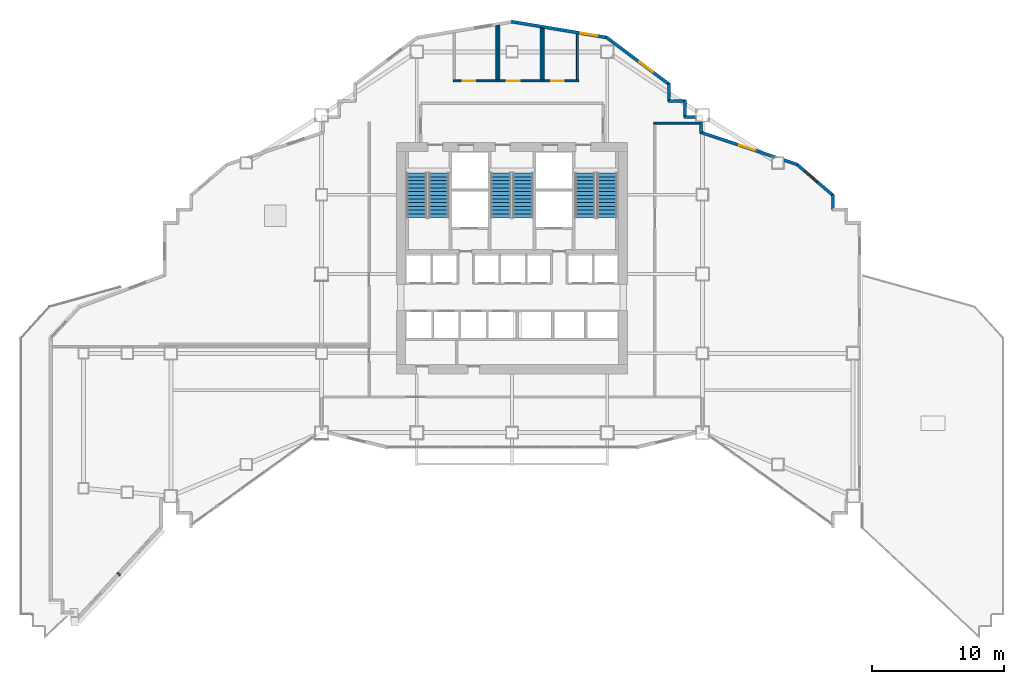
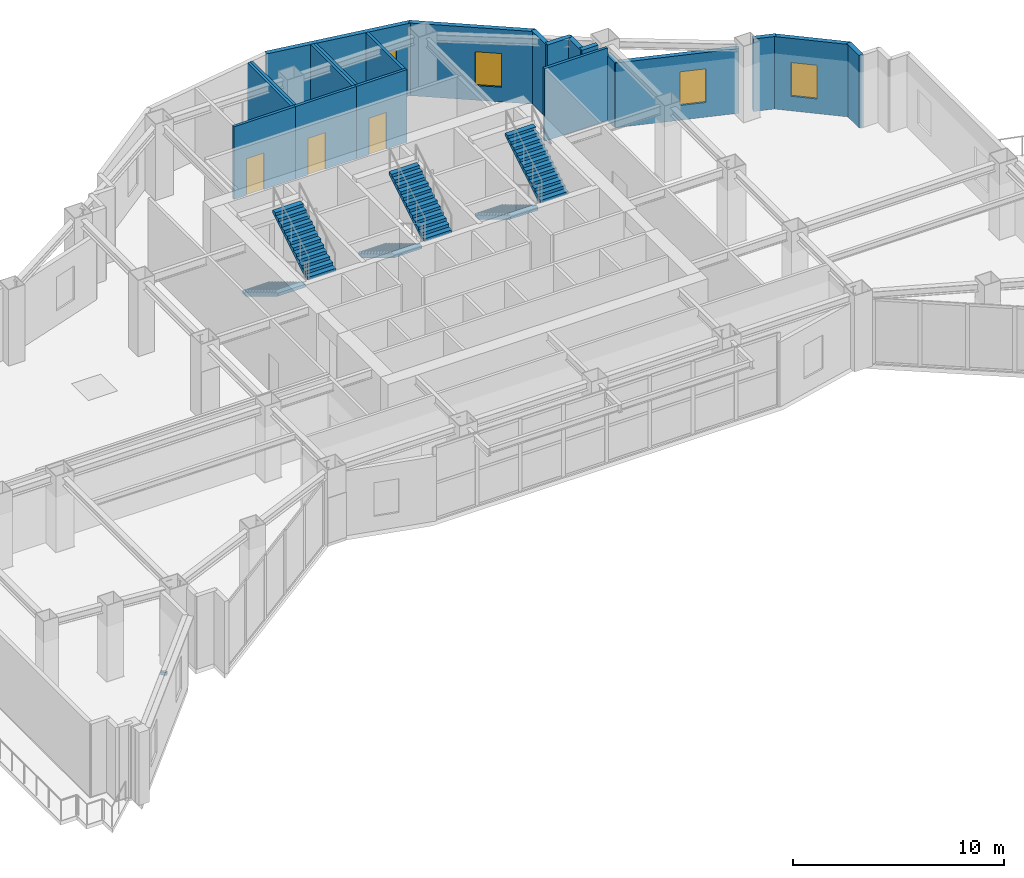
# One storey, part 12 of 19: 20 walls, 6 stair flights, 4 windows, 3 doors, 1 discrete accessory, 7 openings, 3 elements without a shape of their own.
"""IFC4 building model written with IfcOpenShell, lengths in metres."""

from ifc_helpers import new_model, si_unit, direction, frame, frame_2d, origin, origin_2d, place, context, subcontext, project, spatial, polyline, rectangle, outline, extrude, material, layer, layer_set, type_object, element, fill, aggregate, save


model = new_model("IFC4")

# Units and contexts
model_context = context("Model", 3, precision=1e-05, world=origin(), true_north=direction((0.0, 1.0)))
body_context = subcontext(model_context, "Body", "Model", "MODEL_VIEW")
ifc_project = project(units=[si_unit("LENGTHUNIT", "METRE"), si_unit("AREAUNIT", "SQUARE_METRE"), si_unit("VOLUMEUNIT", "CUBIC_METRE"), si_unit("PLANEANGLEUNIT", "RADIAN"), si_unit("MASSUNIT", "GRAM", prefix="KILO")], contexts=[model_context])

# Site, building, storey
site_placement = place(None, origin())
site = spatial("IfcSite", under=ifc_project, at=site_placement, CompositionType="ELEMENT")
building_placement = place(site_placement, origin())
building = spatial("IfcBuilding", under=site, at=building_placement, Name="Haolan Belvedere Tower", CompositionType="ELEMENT")
storey_placement = place(building_placement, frame((0.0, 0.0, 94.0)))
storey = spatial("IfcBuildingStorey", under=building, at=storey_placement, Name="L23", CompositionType="ELEMENT", Elevation=94.0)

# Wall
ifc_material_1 = material(Name="Precast concrete C40/50", Category="concrete")
ifc_layer_1 = layer(ifc_material_1, 0.239990234375, Name="Precast concrete C40/50")
ifc_layer_set_1 = layer_set([ifc_layer_1], Name="Precast concrete C40/50")
wall_type_1 = type_object("IfcWallType", Name="WL-EXT-240", PredefinedType="SOLIDWALL", material=ifc_layer_set_1)
wall_1_placement = place(storey_placement, frame((62.679931640625, 38.425048828125, 0.0), z_axis=(0.0, 0.0, 1.0), x_axis=(0.0, 1.0, 0.0)))
element("IfcWall", 1, at=wall_1_placement, inside=storey, type_object=wall_type_1, Name="L23 pale-metal exterior spandrel wall 18.1", PredefinedType="SOLIDWALL", context=body_context, shape_type="SweptSolid", body=[
    extrude(rectangle(XDim=1.1748046875, YDim=0.239990234375, at=frame_2d((0.58740234375, 0.0))), origin(), (0.0, 0.0, 1.0), 4.199951171875),
])

# Wall, opening, window
wall_2_placement = place(storey_placement, frame((62.7216796875, 39.509033203125, 0.0), z_axis=(0.0, 0.0, 1.0), x_axis=(-0.759247334792, 0.650802185469, 0.0)))
wall_2 = element("IfcWall", 2, at=wall_2_placement, inside=storey, type_object=wall_type_1, Name="L23 pale-metal exterior spandrel wall 19.1", PredefinedType="SOLIDWALL", context=body_context, shape_type="SweptSolid", body=[
    extrude(rectangle(XDim=3.71923828125, YDim=0.239990234375, at=frame_2d((1.859619140625, 0.0))), origin(), (0.0, 0.0, 1.0), 4.199951171875),
])
opening_1_placement = place(wall_2_placement, frame((1.60009765625, 0.0, 0.85009765625)))
opening_1 = element("IfcOpeningElement", 3, at=opening_1_placement, cuts=wall_2, Name="Opening W-04", PredefinedType="OPENING", context=body_context, shape_type="SweptSolid", body=[
    extrude(rectangle(XDim=1.25, YDim=1.949951171875, at=frame_2d((0.625, 0.97509765625))), frame((0.0, 0.1298828125, 0.0), z_axis=(0.0, -1.0, 0.0), x_axis=(1.0, 0.0, 0.0)), (0.0, 0.0, 1.0), 0.260009765625),
])
ifc_material_2 = material(Name="Anodised aluminium 6063-T6 and Low-E glass", Category="aluminium")
window_type = type_object("IfcWindowType", Name="WN-DECO-Z4", PartitioningType="SINGLE_PANEL", PredefinedType="WINDOW", material=ifc_material_2)
window_1_placement = place(opening_1_placement, origin())
window_1 = element("IfcWindow", 4, at=window_1_placement, inside=storey, type_object=window_type, Name="L23 Art Deco chevron window 1", OverallHeight=1.949951171875, OverallWidth=1.25, PartitioningType="SINGLE_PANEL", PredefinedType="WINDOW", context=body_context, shape_type="SweptSolid", body=[
    extrude(rectangle(XDim=1.25, YDim=1.949951171875, at=frame_2d((0.625, 0.97509765625))), frame((0.0, 0.030029296875, 0.0), z_axis=(0.0, -1.0, 0.0), x_axis=(1.0, 0.0, 0.0)), (0.0, 0.0, 1.0), 0.06005859375),
])
fill(opening_1, window_1)

# Wall
wall_3_placement = place(storey_placement, frame((59.991943359375, 41.876220703125, 0.0), z_axis=(0.0, 0.0, 1.0), x_axis=(-0.948661238983, 0.316293935527, 0.0)))
element("IfcWall", 5, at=wall_3_placement, inside=storey, type_object=wall_type_1, Name="L23 pale-metal exterior spandrel wall 20.1", PredefinedType="SOLIDWALL", context=body_context, shape_type="SweptSolid", body=[
    extrude(rectangle(XDim=1.10693359375, YDim=0.239990234375, at=frame_2d((0.553466796875, 0.0))), origin(), (0.0, 0.0, 1.0), 4.199951171875),
])

# Wall, opening, window
wall_4_placement = place(storey_placement, frame((58.294677734375, 42.44189453125, 0.0), z_axis=(0.0, 0.0, 1.0), x_axis=(-0.948687385027, 0.316215504823, 0.0)))
wall_4 = element("IfcWall", 6, at=wall_4_placement, inside=storey, type_object=wall_type_1, Name="L23 pale-metal exterior spandrel wall 20.2", PredefinedType="SOLIDWALL", context=body_context, shape_type="SweptSolid", body=[
    extrude(rectangle(XDim=5.973388671875, YDim=0.239990234375, at=frame_2d((2.98681640625, 0.0))), origin(), (0.0, 0.0, 1.0), 3.7451171875),
])
opening_2_placement = place(wall_4_placement, frame((1.60009765625, 0.0, 0.85009765625)))
opening_2 = element("IfcOpeningElement", 7, at=opening_2_placement, cuts=wall_4, Name="Opening W-04", PredefinedType="OPENING", context=body_context, shape_type="SweptSolid", body=[
    extrude(rectangle(XDim=1.25, YDim=1.949951171875, at=frame_2d((0.625, 0.97509765625))), frame((0.0, 0.1298828125, 0.0), z_axis=(0.0, -1.0, 0.0), x_axis=(1.0, 0.0, 0.0)), (0.0, 0.0, 1.0), 0.260009765625),
])
window_2_placement = place(opening_2_placement, origin())
window_2 = element("IfcWindow", 8, at=window_2_placement, inside=storey, type_object=window_type, Name="L23 Art Deco chevron window 1", OverallHeight=1.949951171875, OverallWidth=1.25, PartitioningType="SINGLE_PANEL", PredefinedType="WINDOW", context=body_context, shape_type="SweptSolid", body=[
    extrude(rectangle(XDim=1.25, YDim=1.949951171875, at=frame_2d((0.625, 0.97509765625))), frame((0.0, 0.030029296875, 0.0), z_axis=(0.0, -1.0, 0.0), x_axis=(1.0, 0.0, 0.0)), (0.0, 0.0, 1.0), 0.06005859375),
])
fill(opening_2, window_2)

# Walls
wall_5_placement = place(storey_placement, frame((52.679931640625, 44.258544921875, 0.0), z_axis=(0.0, 0.0, 1.0), x_axis=(0.0, 1.0, 0.0)))
element("IfcWall", 9, at=wall_5_placement, inside=storey, type_object=wall_type_1, Name="L23 pale-metal exterior spandrel wall 21.1", PredefinedType="SOLIDWALL", context=body_context, shape_type="SweptSolid", body=[
    extrude(rectangle(XDim=0.849365234375, YDim=0.239990234375, at=frame_2d((0.4248046875, 0.0))), origin(), (0.0, 0.0, 1.0), 3.7451171875),
])
wall_6_placement = place(storey_placement, frame((52.30810546875, 45.47998046875, 0.0), z_axis=(0.0, 0.0, 1.0), x_axis=(-1.0, 0.0, 0.0)))
element("IfcWall", 10, at=wall_6_placement, inside=storey, type_object=wall_type_1, Name="L23 pale-metal exterior spandrel wall 22.1", PredefinedType="SOLIDWALL", context=body_context, shape_type="SweptSolid", body=[
    extrude(rectangle(XDim=0.883056640625, YDim=0.239990234375, at=frame_2d((0.44140625, 0.0))), origin(), (0.0, 0.0, 1.0), 4.199951171875),
])
wall_7_placement = place(storey_placement, frame((51.47998046875, 45.425048828125, 0.0), z_axis=(0.0, 0.0, 1.0), x_axis=(0.0, 1.0, 0.0)))
element("IfcWall", 11, at=wall_7_placement, inside=storey, type_object=wall_type_1, Name="L23 pale-metal exterior spandrel wall 23.1", PredefinedType="SOLIDWALL", context=body_context, shape_type="SweptSolid", body=[
    extrude(rectangle(XDim=1.31005859375, YDim=0.239990234375, at=frame_2d((0.655029296875, 0.0))), origin(), (0.0, 0.0, 1.0), 4.199951171875),
])
wall_8_placement = place(storey_placement, frame((51.534912109375, 46.679931640625, 0.0), z_axis=(0.0, 0.0, 1.0), x_axis=(-1.0, 0.0, 0.0)))
element("IfcWall", 12, at=wall_8_placement, inside=storey, type_object=wall_type_1, Name="L23 pale-metal exterior spandrel wall 24.1", PredefinedType="SOLIDWALL", context=body_context, shape_type="SweptSolid", body=[
    extrude(rectangle(XDim=1.309814453125, YDim=0.239990234375, at=frame_2d((0.65478515625, 0.0))), origin(), (0.0, 0.0, 1.0), 4.199951171875),
])
wall_9_placement = place(storey_placement, frame((50.280029296875, 46.625, 0.0), z_axis=(0.0, 0.0, 1.0), x_axis=(0.0, 1.0, 0.0)))
element("IfcWall", 13, at=wall_9_placement, inside=storey, type_object=wall_type_1, Name="L23 pale-metal exterior spandrel wall 25.1", PredefinedType="SOLIDWALL", context=body_context, shape_type="SweptSolid", body=[
    extrude(rectangle(XDim=1.3701171875, YDim=0.239990234375, at=frame_2d((0.68505859375, 0.0))), origin(), (0.0, 0.0, 1.0), 4.199951171875),
])

# Wall, opening, window
wall_10_placement = place(storey_placement, frame((50.323974609375, 47.906982421875, 0.0), z_axis=(0.0, 0.0, 1.0), x_axis=(-0.80001459783, 0.599980535734, 0.0)))
wall_10 = element("IfcWall", 14, at=wall_10_placement, inside=storey, type_object=wall_type_1, Name="L23 pale-metal exterior spandrel wall 26.1", PredefinedType="SOLIDWALL", context=body_context, shape_type="SweptSolid", body=[
    extrude(rectangle(XDim=6.020751953125, YDim=0.239990234375, at=frame_2d((3.01025390625, 0.0))), origin(), (0.0, 0.0, 1.0), 4.199951171875),
])
opening_3_placement = place(wall_10_placement, frame((1.60009765625, 0.0, 0.85009765625)))
opening_3 = element("IfcOpeningElement", 15, at=opening_3_placement, cuts=wall_10, Name="Opening W-04", PredefinedType="OPENING", context=body_context, shape_type="SweptSolid", body=[
    extrude(rectangle(XDim=1.25, YDim=1.949951171875, at=frame_2d((0.625, 0.97509765625))), frame((0.0, 0.1298828125, 0.0), z_axis=(0.0, -1.0, 0.0), x_axis=(1.0, 0.0, 0.0)), (0.0, 0.0, 1.0), 0.260009765625),
])
window_3_placement = place(opening_3_placement, origin())
window_3 = element("IfcWindow", 16, at=window_3_placement, inside=storey, type_object=window_type, Name="L23 Art Deco chevron window 1", OverallHeight=1.949951171875, OverallWidth=1.25, PartitioningType="SINGLE_PANEL", PredefinedType="WINDOW", context=body_context, shape_type="SweptSolid", body=[
    extrude(rectangle(XDim=1.25, YDim=1.949951171875, at=frame_2d((0.625, 0.97509765625))), frame((0.0, 0.030029296875, 0.0), z_axis=(0.0, -1.0, 0.0), x_axis=(1.0, 0.0, 0.0)), (0.0, 0.0, 1.0), 0.06005859375),
])
fill(opening_3, window_3)

wall_11_placement = place(storey_placement, frame((45.605712890625, 51.477294921875, 0.0), z_axis=(0.0, 0.0, 1.0), x_axis=(-0.986394820321, 0.164393608283, 0.0)))
wall_11 = element("IfcWall", 17, at=wall_11_placement, inside=storey, type_object=wall_type_1, Name="L23 pale-metal exterior spandrel wall 27.1", PredefinedType="SOLIDWALL", context=body_context, shape_type="SweptSolid", body=[
    extrude(rectangle(XDim=7.360107421875, YDim=0.239990234375, at=frame_2d((3.68017578125, 0.0))), origin(), (0.0, 0.0, 1.0), 4.199951171875),
])
opening_4_placement = place(wall_11_placement, frame((0.7841796875, 0.0, 0.85009765625)))
opening_4 = element("IfcOpeningElement", 18, at=opening_4_placement, cuts=wall_11, Name="Opening W-04", PredefinedType="OPENING", context=body_context, shape_type="SweptSolid", body=[
    extrude(rectangle(XDim=1.25, YDim=1.949951171875, at=frame_2d((0.625, 0.97509765625))), frame((0.0, 0.1298828125, 0.0), z_axis=(0.0, -1.0, 0.0), x_axis=(1.0, 0.0, 0.0)), (0.0, 0.0, 1.0), 0.260009765625),
])
window_4_placement = place(opening_4_placement, origin())
window_4 = element("IfcWindow", 19, at=window_4_placement, inside=storey, type_object=window_type, Name="L23 Art Deco chevron window 1", OverallHeight=1.949951171875, OverallWidth=1.25, PartitioningType="SINGLE_PANEL", PredefinedType="WINDOW", context=body_context, shape_type="SweptSolid", body=[
    extrude(rectangle(XDim=1.25, YDim=1.949951171875, at=frame_2d((0.625, 0.97509765625))), frame((0.0, 0.030029296875, 0.0), z_axis=(0.0, -1.0, 0.0), x_axis=(1.0, 0.0, 0.0)), (0.0, 0.0, 1.0), 0.06005859375),
])
fill(opening_4, window_4)

# Wall, opening, door
ifc_material_3 = material(Name="Double gypsum acoustic stud partition", Category="masonry")
ifc_layer_2 = layer(ifc_material_3, 0.14990234375, Name="Double gypsum acoustic stud partition")
ifc_layer_set_2 = layer_set([ifc_layer_2], Name="Double gypsum acoustic stud partition")
wall_type_2 = type_object("IfcWallType", Name="WL-PART-150", PredefinedType="PARTITIONING", material=ifc_layer_set_2)
wall_12_placement = place(storey_placement, frame((33.969970703125, 48.199951171875, 0.0), z_axis=(0.0, 0.0, 1.0), x_axis=(1.0, 0.0, 0.0)))
wall_12 = element("IfcWall", 20, at=wall_12_placement, inside=storey, type_object=wall_type_2, Name="L23 interior partition IW-L23-WCM-S", PredefinedType="PARTITIONING", context=body_context, shape_type="SweptSolid", body=[
    extrude(rectangle(XDim=3.360107421875, YDim=0.14990234375, at=frame_2d((1.68017578125, 0.0))), origin(), (0.0, 0.0, 1.0), 4.199951171875),
])
opening_5_placement = place(wall_12_placement, frame((0.699951171875, 0.0, 0.0)))
opening_5 = element("IfcOpeningElement", 21, at=opening_5_placement, cuts=wall_12, Name="Opening ID-03", PredefinedType="OPENING", context=body_context, shape_type="SweptSolid", body=[
    extrude(rectangle(XDim=0.949951171875, YDim=2.1201171875, at=frame_2d((0.47509765625, 1.06005859375))), frame((0.0, 0.0849609375, 0.0), z_axis=(0.0, -1.0, 0.0), x_axis=(1.0, 0.0, 0.0)), (0.0, 0.0, 1.0), 0.169921875),
])
ifc_material_4 = material(Name="Painted solid-core timber", Category="wood")
door_type = type_object("IfcDoorType", Name="DR-INT-950", OperationType="NOTDEFINED", PredefinedType="DOOR", material=ifc_material_4)
door_1_placement = place(opening_5_placement, origin())
door_1 = element("IfcDoor", 22, at=door_1_placement, inside=storey, type_object=door_type, Name="L23 door ID-L23-WCM", OperationType="SINGLE_SWING_LEFT", OverallHeight=2.1201171875, OverallWidth=0.949951171875, PredefinedType="DOOR", context=body_context, shape_type="SweptSolid", body=[
    extrude(rectangle(XDim=0.949951171875, YDim=2.1201171875, at=frame_2d((0.47509765625, 1.06005859375))), frame((0.0, 0.02490234375, 0.0), z_axis=(0.0, -1.0, 0.0), x_axis=(1.0, 0.0, 0.0)), (0.0, 0.0, 1.0), 0.050048828125),
])
fill(opening_5, door_1)

# Wall
wall_13_placement = place(storey_placement, frame((37.25, 48.260009765625, 0.0), z_axis=(0.0, 0.0, 1.0), x_axis=(0.0, 1.0, 0.0)))
element("IfcWall", 23, at=wall_13_placement, inside=storey, type_object=wall_type_2, Name="L23 interior partition IW-L23-WCM-E", PredefinedType="PARTITIONING", context=body_context, shape_type="SweptSolid", body=[
    extrude(rectangle(XDim=4.1201171875, YDim=0.14990234375, at=frame_2d((2.06005859375, 0.0))), origin(), (0.0, 0.0, 1.0), 4.199951171875),
])

# Wall, opening, door
wall_14_placement = place(storey_placement, frame((37.33203125, 48.199951171875, 0.0), z_axis=(0.0, 0.0, 1.0), x_axis=(1.0, 0.0, 0.0)))
wall_14 = element("IfcWall", 24, at=wall_14_placement, inside=storey, type_object=wall_type_2, Name="L23 interior partition IW-L23-WCF-S", PredefinedType="PARTITIONING", context=body_context, shape_type="SweptSolid", body=[
    extrude(rectangle(XDim=3.347900390625, YDim=0.14990234375, at=frame_2d((1.673828125, 0.0))), origin(), (0.0, 0.0, 1.0), 4.199951171875),
])
opening_6_placement = place(wall_14_placement, frame((0.68798828125, 0.0, 0.0)))
opening_6 = element("IfcOpeningElement", 25, at=opening_6_placement, cuts=wall_14, Name="Opening ID-03", PredefinedType="OPENING", context=body_context, shape_type="SweptSolid", body=[
    extrude(rectangle(XDim=0.949951171875, YDim=2.1201171875, at=frame_2d((0.47509765625, 1.06005859375))), frame((0.0, 0.0849609375, 0.0), z_axis=(0.0, -1.0, 0.0), x_axis=(1.0, 0.0, 0.0)), (0.0, 0.0, 1.0), 0.169921875),
])
door_2_placement = place(opening_6_placement, origin())
door_2 = element("IfcDoor", 26, at=door_2_placement, inside=storey, type_object=door_type, Name="L23 door ID-L23-WCF", OperationType="SINGLE_SWING_RIGHT", OverallHeight=2.1201171875, OverallWidth=0.949951171875, PredefinedType="DOOR", context=body_context, shape_type="SweptSolid", body=[
    extrude(rectangle(XDim=0.949951171875, YDim=2.1201171875, at=frame_2d((0.47509765625, 1.06005859375))), frame((0.0, 0.02490234375, 0.0), z_axis=(0.0, -1.0, 0.0), x_axis=(1.0, 0.0, 0.0)), (0.0, 0.0, 1.0), 0.050048828125),
])
fill(opening_6, door_2)

# Walls
wall_15_placement = place(storey_placement, frame((37.39990234375, 48.260009765625, 0.0), z_axis=(0.0, 0.0, 1.0), x_axis=(0.0, 1.0, 0.0)))
element("IfcWall", 27, at=wall_15_placement, inside=storey, type_object=wall_type_2, Name="L23 interior partition IW-L23-WCF-W", PredefinedType="PARTITIONING", context=body_context, shape_type="SweptSolid", body=[
    extrude(rectangle(XDim=4.14501953125, YDim=0.14990234375, at=frame_2d((2.072509765625, 0.0))), origin(), (0.0, 0.0, 1.0), 4.199951171875),
])
wall_16_placement = place(storey_placement, frame((40.60009765625, 48.260009765625, 0.0), z_axis=(0.0, 0.0, 1.0), x_axis=(0.0, 1.0, 0.0)))
element("IfcWall", 28, at=wall_16_placement, inside=storey, type_object=wall_type_2, Name="L23 interior partition IW-L23-WCF-E", PredefinedType="PARTITIONING", context=body_context, shape_type="SweptSolid", body=[
    extrude(rectangle(XDim=3.945068359375, YDim=0.14990234375, at=frame_2d((1.97265625, 0.0))), origin(), (0.0, 0.0, 1.0), 4.199951171875),
])

# Wall, opening, door
wall_17_placement = place(storey_placement, frame((40.681884765625, 48.199951171875, 0.0), z_axis=(0.0, 0.0, 1.0), x_axis=(1.0, 0.0, 0.0)))
wall_17 = element("IfcWall", 29, at=wall_17_placement, inside=storey, type_object=wall_type_2, Name="L23 interior partition IW-L23-WCA-S", PredefinedType="PARTITIONING", context=body_context, shape_type="SweptSolid", body=[
    extrude(rectangle(XDim=2.748046875, YDim=0.14990234375, at=frame_2d((1.3740234375, 0.0))), origin(), (0.0, 0.0, 1.0), 4.199951171875),
])
opening_7_placement = place(wall_17_placement, frame((0.68798828125, 0.0, 0.0)))
opening_7 = element("IfcOpeningElement", 30, at=opening_7_placement, cuts=wall_17, Name="Opening ID-03", PredefinedType="OPENING", context=body_context, shape_type="SweptSolid", body=[
    extrude(rectangle(XDim=0.949951171875, YDim=2.1201171875, at=frame_2d((0.47509765625, 1.06005859375))), frame((0.0, 0.0849609375, 0.0), z_axis=(0.0, -1.0, 0.0), x_axis=(1.0, 0.0, 0.0)), (0.0, 0.0, 1.0), 0.169921875),
])
door_3_placement = place(opening_7_placement, origin())
door_3 = element("IfcDoor", 31, at=door_3_placement, inside=storey, type_object=door_type, Name="L23 door ID-L23-WCA", OperationType="SINGLE_SWING_LEFT", OverallHeight=2.1201171875, OverallWidth=0.949951171875, PredefinedType="DOOR", context=body_context, shape_type="SweptSolid", body=[
    extrude(rectangle(XDim=0.949951171875, YDim=2.1201171875, at=frame_2d((0.47509765625, 1.06005859375))), frame((0.0, 0.02490234375, 0.0), z_axis=(0.0, -1.0, 0.0), x_axis=(1.0, 0.0, 0.0)), (0.0, 0.0, 1.0), 0.050048828125),
])
fill(opening_7, door_3)

# Walls
wall_18_placement = place(storey_placement, frame((40.75, 48.260009765625, 0.0), z_axis=(0.0, 0.0, 1.0), x_axis=(0.0, 1.0, 0.0)))
element("IfcWall", 32, at=wall_18_placement, inside=storey, type_object=wall_type_2, Name="L23 interior partition IW-L23-WCA-W", PredefinedType="PARTITIONING", context=body_context, shape_type="SweptSolid", body=[
    extrude(rectangle(XDim=3.920166015625, YDim=0.14990234375, at=frame_2d((1.9599609375, 0.0))), origin(), (0.0, 0.0, 1.0), 4.199951171875),
])
wall_19_placement = place(storey_placement, frame((43.35009765625, 48.260009765625, 0.0), z_axis=(0.0, 0.0, 1.0), x_axis=(0.0, 1.0, 0.0)))
element("IfcWall", 33, at=wall_19_placement, inside=storey, type_object=wall_type_2, Name="L23 interior partition IW-L23-WCA-E", PredefinedType="PARTITIONING", context=body_context, shape_type="SweptSolid", body=[
    extrude(rectangle(XDim=3.48681640625, YDim=0.14990234375, at=frame_2d((1.743408203125, 0.0))), origin(), (0.0, 0.0, 1.0), 4.199951171875),
])
wall_20_placement = place(storey_placement, frame((49.1201171875, 45.0, 0.0), z_axis=(0.0, 0.0, 1.0), x_axis=(1.0, 0.0, 0.0)))
element("IfcWall", 34, at=wall_20_placement, inside=storey, type_object=wall_type_2, Name="L23 interior partition IW-L23-CLUB-N", PredefinedType="PARTITIONING", context=body_context, shape_type="SweptSolid", body=[
    extrude(rectangle(XDim=3.454833984375, YDim=0.14990234375, at=frame_2d((1.7275390625, 0.0))), origin(), (0.0, 0.0, 1.0), 4.199951171875),
])

# Stair, stair flights
ifc_material_5 = material(Name="Concrete C40/50", Category="concrete")
stair_type = type_object("IfcStairType", Name="STR-DL-26R-169", PredefinedType="HALF_TURN_STAIR", material=ifc_material_5)
stair_1_placement = place(storey_placement, origin())
stair_1 = element("IfcStair", 35, at=stair_1_placement, inside=storey, type_object=stair_type, Name="L23 Smokeproof Core Exit Stair ST1", PredefinedType="HALF_TURN_STAIR")
stair_flight_type = type_object("IfcStairFlightType", Name="SFL-DL-13R-169", PredefinedType="STRAIGHT", material=ifc_material_5)
stair_flight_1_placement = place(storey_placement, frame((31.2099609375, 41.22998046875, 0.0), z_axis=(0.0, 0.0, 1.0), x_axis=(0.0, -1.0, 0.0)))
stair_flight_1 = element("IfcStairFlight", 36, at=stair_flight_1_placement, type_object=stair_flight_type, Name="ST1 flight 1", NumberOfRisers=13, NumberOfTreads=12, PredefinedType="STRAIGHT", RiserHeight=0.169230769, TreadLength=0.28, context=body_context, shape_type="SweptSolid", body=[
    extrude(outline(polyline([(0.0, 0.0), (0.0, 0.169189453125), (0.280029296875, 0.169189453125), (0.280029296875, 0.33837890625), (0.56005859375, 0.33837890625), (0.56005859375, 0.5078125), (0.840087890625, 0.5078125), (0.840087890625, 0.677001953125), (1.1201171875, 0.677001953125), (1.1201171875, 0.84619140625), (1.39990234375, 0.84619140625), (1.39990234375, 1.015380859375), (1.679931640625, 1.015380859375), (1.679931640625, 1.1845703125), (1.9599609375, 1.1845703125), (1.9599609375, 1.353759765625), (2.239990234375, 1.353759765625), (2.239990234375, 1.523193359375), (2.52001953125, 1.523193359375), (2.52001953125, 1.6923828125), (2.800048828125, 1.6923828125), (2.800048828125, 1.861572265625), (3.080078125, 1.861572265625), (3.080078125, 2.03076171875), (3.360107421875, 2.03076171875), (3.360107421875, 2.199951171875), (3.360107421875, 1.855712890625), (0.289794921875, 0.0), (0.0, 0.0)])), frame((0.0, 0.760009765625, 0.0), z_axis=(0.0, -1.0, 0.0), x_axis=(1.0, 0.0, 0.0)), (0.0, 0.0, 1.0), 1.52001953125),
])
stair_flight_2_placement = place(storey_placement, frame((32.8701171875, 37.8701171875, 2.199951171875), z_axis=(0.0, 0.0, 1.0), x_axis=(0.0, 1.0, 0.0)))
stair_flight_2 = element("IfcStairFlight", 37, at=stair_flight_2_placement, type_object=stair_flight_type, Name="ST1 flight 2", NumberOfRisers=13, NumberOfTreads=12, PredefinedType="STRAIGHT", RiserHeight=0.169230769, TreadLength=0.28, context=body_context, shape_type="SweptSolid", body=[
    extrude(outline(polyline([(0.0, 0.0), (0.0, 0.169189453125), (0.280029296875, 0.169189453125), (0.280029296875, 0.33837890625), (0.56005859375, 0.33837890625), (0.56005859375, 0.5078125), (0.840087890625, 0.5078125), (0.840087890625, 0.677001953125), (1.1201171875, 0.677001953125), (1.1201171875, 0.84619140625), (1.39990234375, 0.84619140625), (1.39990234375, 1.015380859375), (1.679931640625, 1.015380859375), (1.679931640625, 1.1845703125), (1.9599609375, 1.1845703125), (1.9599609375, 1.353759765625), (2.239990234375, 1.353759765625), (2.239990234375, 1.523193359375), (2.52001953125, 1.523193359375), (2.52001953125, 1.6923828125), (2.800048828125, 1.6923828125), (2.800048828125, 1.861572265625), (3.080078125, 1.861572265625), (3.080078125, 2.03076171875), (3.360107421875, 2.03076171875), (3.360107421875, 2.199951171875), (3.360107421875, 1.855712890625), (0.289794921875, 0.0), (0.0, 0.0)])), frame((0.0, 0.760009765625, 0.0), z_axis=(0.0, -1.0, 0.0), x_axis=(1.0, 0.0, 0.0)), (0.0, 0.0, 1.0), 1.52001953125),
])
aggregate(stair_1, [stair_flight_1, stair_flight_2])

stair_2_placement = place(storey_placement, origin())
stair_2 = element("IfcStair", 38, at=stair_2_placement, inside=storey, type_object=stair_type, Name="L23 Smokeproof Core Exit Stair ST3", PredefinedType="HALF_TURN_STAIR")
stair_flight_3_placement = place(storey_placement, frame((37.570068359375, 41.22998046875, 0.0), z_axis=(0.0, 0.0, 1.0), x_axis=(0.0, -1.0, 0.0)))
stair_flight_3 = element("IfcStairFlight", 39, at=stair_flight_3_placement, type_object=stair_flight_type, Name="ST3 flight 1", NumberOfRisers=13, NumberOfTreads=12, PredefinedType="STRAIGHT", RiserHeight=0.169230769, TreadLength=0.28, context=body_context, shape_type="SweptSolid", body=[
    extrude(outline(polyline([(0.0, 0.0), (0.0, 0.169189453125), (0.280029296875, 0.169189453125), (0.280029296875, 0.33837890625), (0.56005859375, 0.33837890625), (0.56005859375, 0.5078125), (0.840087890625, 0.5078125), (0.840087890625, 0.677001953125), (1.1201171875, 0.677001953125), (1.1201171875, 0.84619140625), (1.39990234375, 0.84619140625), (1.39990234375, 1.015380859375), (1.679931640625, 1.015380859375), (1.679931640625, 1.1845703125), (1.9599609375, 1.1845703125), (1.9599609375, 1.353759765625), (2.239990234375, 1.353759765625), (2.239990234375, 1.523193359375), (2.52001953125, 1.523193359375), (2.52001953125, 1.6923828125), (2.800048828125, 1.6923828125), (2.800048828125, 1.861572265625), (3.080078125, 1.861572265625), (3.080078125, 2.03076171875), (3.360107421875, 2.03076171875), (3.360107421875, 2.199951171875), (3.360107421875, 1.855712890625), (0.289794921875, 0.0), (0.0, 0.0)])), frame((0.0, 0.760009765625, 0.0), z_axis=(0.0, -1.0, 0.0), x_axis=(1.0, 0.0, 0.0)), (0.0, 0.0, 1.0), 1.52001953125),
])
stair_flight_4_placement = place(storey_placement, frame((39.22998046875, 37.8701171875, 2.199951171875), z_axis=(0.0, 0.0, 1.0), x_axis=(0.0, 1.0, 0.0)))
stair_flight_4 = element("IfcStairFlight", 40, at=stair_flight_4_placement, type_object=stair_flight_type, Name="ST3 flight 2", NumberOfRisers=13, NumberOfTreads=12, PredefinedType="STRAIGHT", RiserHeight=0.169230769, TreadLength=0.28, context=body_context, shape_type="SweptSolid", body=[
    extrude(outline(polyline([(0.0, 0.0), (0.0, 0.169189453125), (0.280029296875, 0.169189453125), (0.280029296875, 0.33837890625), (0.56005859375, 0.33837890625), (0.56005859375, 0.5078125), (0.840087890625, 0.5078125), (0.840087890625, 0.677001953125), (1.1201171875, 0.677001953125), (1.1201171875, 0.84619140625), (1.39990234375, 0.84619140625), (1.39990234375, 1.015380859375), (1.679931640625, 1.015380859375), (1.679931640625, 1.1845703125), (1.9599609375, 1.1845703125), (1.9599609375, 1.353759765625), (2.239990234375, 1.353759765625), (2.239990234375, 1.523193359375), (2.52001953125, 1.523193359375), (2.52001953125, 1.6923828125), (2.800048828125, 1.6923828125), (2.800048828125, 1.861572265625), (3.080078125, 1.861572265625), (3.080078125, 2.03076171875), (3.360107421875, 2.03076171875), (3.360107421875, 2.199951171875), (3.360107421875, 1.855712890625), (0.289794921875, 0.0), (0.0, 0.0)])), frame((0.0, 0.760009765625, 0.0), z_axis=(0.0, -1.0, 0.0), x_axis=(1.0, 0.0, 0.0)), (0.0, 0.0, 1.0), 1.52001953125),
])
aggregate(stair_2, [stair_flight_3, stair_flight_4])

stair_3_placement = place(storey_placement, origin())
stair_3 = element("IfcStair", 41, at=stair_3_placement, inside=storey, type_object=stair_type, Name="L23 Smokeproof Core Exit Stair ST2", PredefinedType="HALF_TURN_STAIR")
stair_flight_5_placement = place(storey_placement, frame((43.929931640625, 41.22998046875, 0.0), z_axis=(0.0, 0.0, 1.0), x_axis=(0.0, -1.0, 0.0)))
stair_flight_5 = element("IfcStairFlight", 42, at=stair_flight_5_placement, type_object=stair_flight_type, Name="ST2 flight 1", NumberOfRisers=13, NumberOfTreads=12, PredefinedType="STRAIGHT", RiserHeight=0.169230769, TreadLength=0.28, context=body_context, shape_type="SweptSolid", body=[
    extrude(outline(polyline([(0.0, 0.0), (0.0, 0.169189453125), (0.280029296875, 0.169189453125), (0.280029296875, 0.33837890625), (0.56005859375, 0.33837890625), (0.56005859375, 0.5078125), (0.840087890625, 0.5078125), (0.840087890625, 0.677001953125), (1.1201171875, 0.677001953125), (1.1201171875, 0.84619140625), (1.39990234375, 0.84619140625), (1.39990234375, 1.015380859375), (1.679931640625, 1.015380859375), (1.679931640625, 1.1845703125), (1.9599609375, 1.1845703125), (1.9599609375, 1.353759765625), (2.239990234375, 1.353759765625), (2.239990234375, 1.523193359375), (2.52001953125, 1.523193359375), (2.52001953125, 1.6923828125), (2.800048828125, 1.6923828125), (2.800048828125, 1.861572265625), (3.080078125, 1.861572265625), (3.080078125, 2.03076171875), (3.360107421875, 2.03076171875), (3.360107421875, 2.199951171875), (3.360107421875, 1.855712890625), (0.289794921875, 0.0), (0.0, 0.0)])), frame((0.0, 0.760009765625, 0.0), z_axis=(0.0, -1.0, 0.0), x_axis=(1.0, 0.0, 0.0)), (0.0, 0.0, 1.0), 1.52001953125),
])
stair_flight_6_placement = place(storey_placement, frame((45.590087890625, 37.8701171875, 2.199951171875), z_axis=(0.0, 0.0, 1.0), x_axis=(0.0, 1.0, 0.0)))
stair_flight_6 = element("IfcStairFlight", 43, at=stair_flight_6_placement, type_object=stair_flight_type, Name="ST2 flight 2", NumberOfRisers=13, NumberOfTreads=12, PredefinedType="STRAIGHT", RiserHeight=0.169230769, TreadLength=0.28, context=body_context, shape_type="SweptSolid", body=[
    extrude(outline(polyline([(0.0, 0.0), (0.0, 0.169189453125), (0.280029296875, 0.169189453125), (0.280029296875, 0.33837890625), (0.56005859375, 0.33837890625), (0.56005859375, 0.5078125), (0.840087890625, 0.5078125), (0.840087890625, 0.677001953125), (1.1201171875, 0.677001953125), (1.1201171875, 0.84619140625), (1.39990234375, 0.84619140625), (1.39990234375, 1.015380859375), (1.679931640625, 1.015380859375), (1.679931640625, 1.1845703125), (1.9599609375, 1.1845703125), (1.9599609375, 1.353759765625), (2.239990234375, 1.353759765625), (2.239990234375, 1.523193359375), (2.52001953125, 1.523193359375), (2.52001953125, 1.6923828125), (2.800048828125, 1.6923828125), (2.800048828125, 1.861572265625), (3.080078125, 1.861572265625), (3.080078125, 2.03076171875), (3.360107421875, 2.03076171875), (3.360107421875, 2.199951171875), (3.360107421875, 1.855712890625), (0.289794921875, 0.0), (0.0, 0.0)])), frame((0.0, 0.760009765625, 0.0), z_axis=(0.0, -1.0, 0.0), x_axis=(1.0, 0.0, 0.0)), (0.0, 0.0, 1.0), 1.52001953125),
])
aggregate(stair_3, [stair_flight_5, stair_flight_6])

# Discrete accessory
ifc_material_6 = material(Name="Stainless steel 316L", Category="steel")
discrete_accessory_type = type_object("IfcDiscreteAccessoryType", Name="ACC-BRK-SUN", PredefinedType="BRACKET", material=ifc_material_6)
discrete_accessory_placement = place(storey_placement, frame((8.662109375, 10.910400390625, 3.97021484375), z_axis=(0.0, 0.0, 1.0), x_axis=(0.67613047857, 0.736781905281, 0.0)))
element("IfcDiscreteAccessory", 44, at=discrete_accessory_placement, inside=storey, type_object=discrete_accessory_type, Name="L23 sunshade support bracket 49.1", PredefinedType="BRACKET", context=body_context, shape_type="SweptSolid", body=[
    extrude(rectangle(XDim=0.139892578125, YDim=0.300048828125, at=origin_2d()), origin(), (0.0, 0.0, 1.0), 0.179931640625),
])

save(model, "model.ifc")
